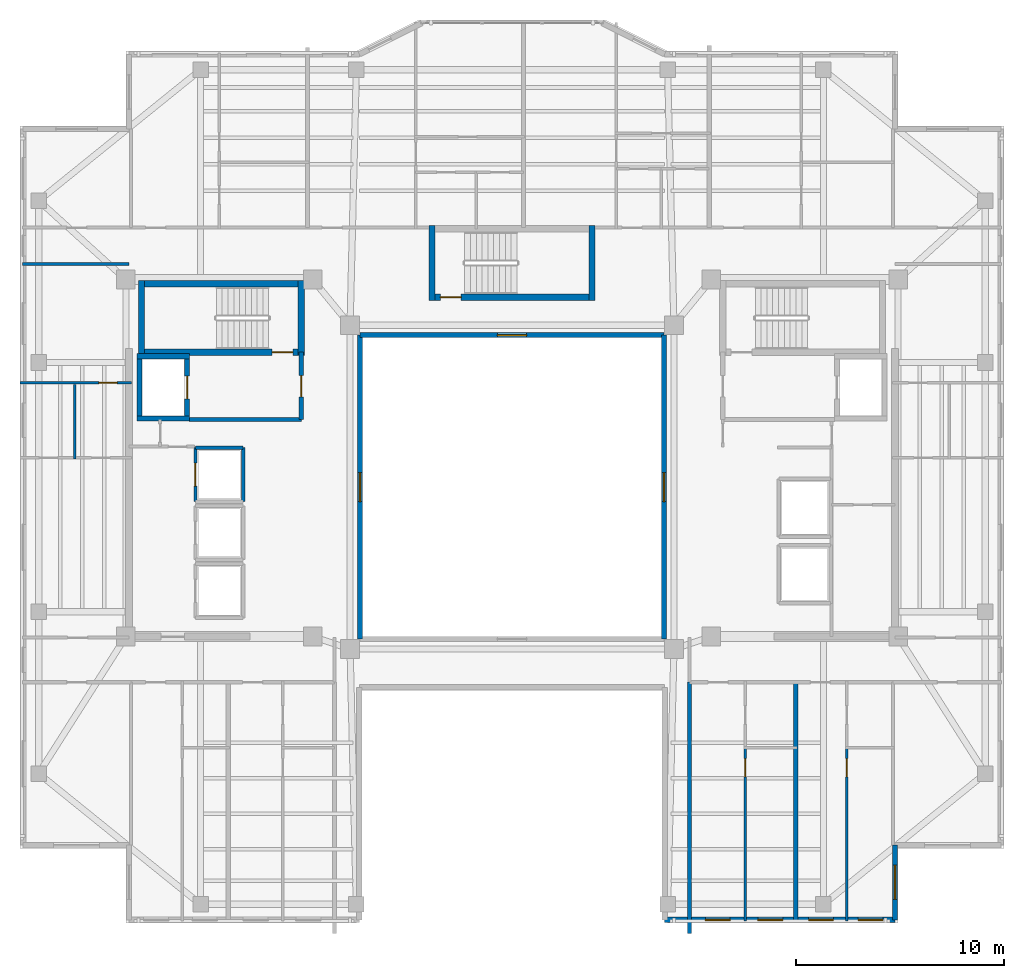
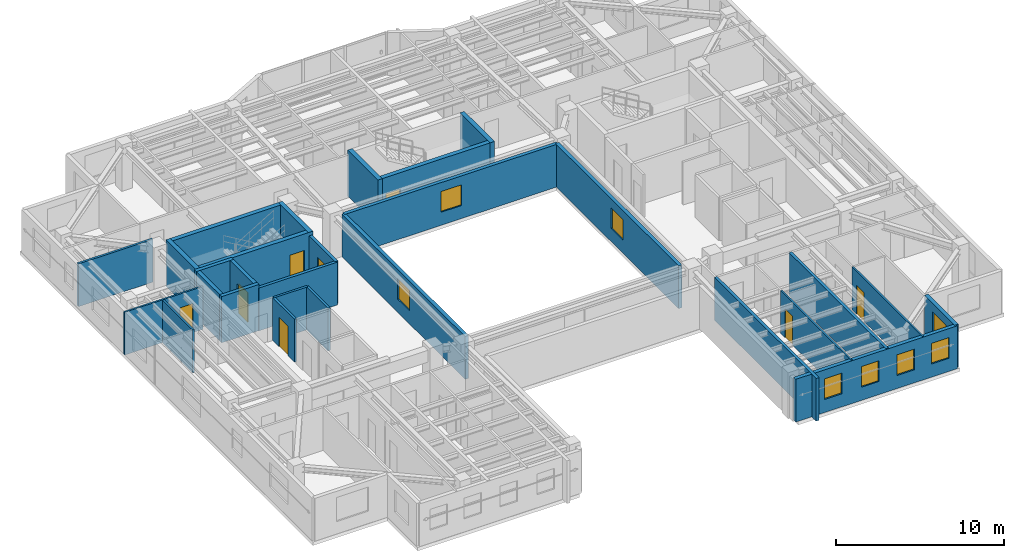
# One storey, part 5 of 12: 28 walls, 8 doors, 8 windows, 16 openings.
"""IFC4 building model written with IfcOpenShell, lengths in metres."""

from ifc_helpers import new_model, si_unit, direction, frame, frame_2d, origin, place, context, subcontext, project, spatial, rectangle, extrude, material, layer, layer_set, type_object, element, fill, save


model = new_model("IFC4")

# Units and contexts
model_context = context("Model", 3, precision=1e-05, world=origin(), true_north=direction((0.0, 1.0)))
body_context = subcontext(model_context, "Body", "Model", "MODEL_VIEW")
ifc_project = project(units=[si_unit("LENGTHUNIT", "METRE"), si_unit("AREAUNIT", "SQUARE_METRE"), si_unit("VOLUMEUNIT", "CUBIC_METRE"), si_unit("PLANEANGLEUNIT", "RADIAN"), si_unit("MASSUNIT", "GRAM", prefix="KILO")], contexts=[model_context])

# Site, building, storey
site_placement = place(None, origin())
site = spatial("IfcSite", under=ifc_project, at=site_placement, CompositionType="ELEMENT")
building_placement = place(site_placement, origin())
building = spatial("IfcBuilding", under=site, at=building_placement, Name="Tarnavaz Court Tower", CompositionType="ELEMENT")
storey_placement = place(building_placement, frame((0.0, 0.0, 207.0)))
storey = spatial("IfcBuildingStorey", under=building, at=storey_placement, Name="L56", CompositionType="ELEMENT", Elevation=207.0)

# Wall
ifc_material_1 = material(Name="Concrete C50/60", Category="concrete")
ifc_layer_1 = layer(ifc_material_1, 0.25)
ifc_layer_set_1 = layer_set([ifc_layer_1], Name="Concrete C50/60")
wall_type_1 = type_object("IfcWallType", Name="WL-CORE-250-C50", PredefinedType="SHEAR", material=ifc_layer_set_1)
wall_1_placement = place(storey_placement, frame((-17.949951171875, 3.175048828125, 0.0), z_axis=(0.0, 0.0, 1.0), x_axis=(0.0, 1.0, 0.0)))
element("IfcWall", 1, at=wall_1_placement, inside=storey, type_object=wall_type_1, Name="L56 Lift FL-W1 Shaft Wall 017", PredefinedType="SHEAR", context=body_context, shape_type="SweptSolid", body=[
    extrude(rectangle(XDim=3.25, YDim=0.25, at=frame_2d((1.625, 0.0))), origin(), (0.0, 0.0, 1.0), 3.35009765625),
])

# Wall, opening, door
wall_2_placement = place(storey_placement, frame((-15.64990234375, 3.175048828125, 0.0), z_axis=(0.0, 0.0, 1.0), x_axis=(0.0, 1.0, 0.0)))
wall_2 = element("IfcWall", 2, at=wall_2_placement, inside=storey, type_object=wall_type_1, Name="L56 Lift FL-W1 Shaft Wall 018", PredefinedType="SHEAR", context=body_context, shape_type="SweptSolid", body=[
    extrude(rectangle(XDim=3.25, YDim=0.25, at=frame_2d((1.625, 0.0))), origin(), (0.0, 0.0, 1.0), 3.35009765625),
])
opening_1_placement = place(wall_2_placement, frame((1.074951171875, 0.0, 0.0)))
opening_1 = element("IfcOpeningElement", 3, at=opening_1_placement, cuts=wall_2, Name="Opening LD1", PredefinedType="OPENING", context=body_context, shape_type="SweptSolid", body=[
    extrude(rectangle(XDim=1.10009765625, YDim=2.14990234375, at=frame_2d((0.550048828125, 1.074951171875))), frame((0.0, 0.135009765625, 0.0), z_axis=(0.0, -1.0, 0.0), x_axis=(1.0, 0.0, 0.0)), (0.0, 0.0, 1.0), 0.27001953125),
])
ifc_material_2 = material(Name="Stainless Steel", Category="steel")
door_type_1 = type_object("IfcDoorType", Name="DR-LD-1100", OperationType="NOTDEFINED", PredefinedType="DOOR", material=ifc_material_2)
door_1_placement = place(opening_1_placement, origin())
door_1 = element("IfcDoor", 4, at=door_1_placement, inside=storey, type_object=door_type_1, Name="L56 Lift Landing Door LD-FL-W1", OperationType="SLIDING_TO_LEFT", OverallHeight=2.14990234375, OverallWidth=1.10009765625, PredefinedType="DOOR", context=body_context, shape_type="SweptSolid", body=[
    extrude(rectangle(XDim=1.10009765625, YDim=2.14990234375, at=frame_2d((0.550048828125, 1.074951171875))), frame((0.0, 0.02490234375, 0.0), z_axis=(0.0, -1.0, 0.0), x_axis=(1.0, 0.0, 0.0)), (0.0, 0.0, 1.0), 0.050048828125),
])
fill(opening_1, door_1)

# Walls
for number, where, z_axis, x_axis, name in (
    (5, (-18.074951171875, 3.300048828125, 0.0), (0.0, 0.0, 1.0), (1.0, 0.0, 0.0), "L56 Lift FL-W1 Shaft Wall 019"),
    (6, (-18.074951171875, 6.300048828125, 0.0), (0.0, 0.0, 1.0), (1.0, 0.0, 0.0), "L56 Lift FL-W1 Shaft Wall 020"),
):
    element("IfcWall", number, at=place(storey_placement, frame(where, z_axis=z_axis, x_axis=x_axis)), inside=storey, type_object=wall_type_1, Name=name, PredefinedType="SHEAR", context=body_context, shape_type="SweptSolid", body=[
        extrude(rectangle(XDim=2.550048828125, YDim=0.25, at=frame_2d((1.27490234375, 0.0))), origin(), (0.0, 0.0, 1.0), 3.35009765625),
    ])
ifc_layer_2 = layer(ifc_material_1, 0.300048828125)
ifc_layer_set_2 = layer_set([ifc_layer_2], Name="Concrete C50/60")
wall_type_2 = type_object("IfcWallType", Name="WL-CORE-300-C50", PredefinedType="SHEAR", material=ifc_layer_set_2)
wall_3_placement = place(storey_placement, frame((-18.0, 9.7900390625, 0.0), z_axis=(0.0, 0.0, 1.0), x_axis=(1.0, 0.0, 0.0)))
element("IfcWall", 7, at=wall_3_placement, inside=storey, type_object=wall_type_2, Name="L56 West Stair Core Wall 001", PredefinedType="SHEAR", context=body_context, shape_type="SweptSolid", body=[
    extrude(rectangle(XDim=8.0, YDim=0.300048828125, at=frame_2d((4.0, 0.0))), origin(), (0.0, 0.0, 1.0), 3.35009765625),
])

# Wall, opening, door
wall_4_placement = place(storey_placement, frame((-18.0, 6.5, 0.0), z_axis=(0.0, 0.0, 1.0), x_axis=(1.0, 0.0, 0.0)))
wall_4 = element("IfcWall", 8, at=wall_4_placement, inside=storey, type_object=wall_type_2, Name="L56 West Stair Core Wall 002", PredefinedType="SHEAR", context=body_context, shape_type="SweptSolid", body=[
    extrude(rectangle(XDim=8.0, YDim=0.300048828125, at=frame_2d((4.0, 0.0))), origin(), (0.0, 0.0, 1.0), 3.35009765625),
])
opening_2_placement = place(wall_4_placement, frame((6.449951171875, 0.0, 0.0)))
opening_2 = element("IfcOpeningElement", 9, at=opening_2_placement, cuts=wall_4, Name="Opening D01", PredefinedType="OPENING", context=body_context, shape_type="SweptSolid", body=[
    extrude(rectangle(XDim=1.0, YDim=2.14990234375, at=frame_2d((0.5, 1.074951171875))), frame((0.0, 0.159912109375, 0.0), z_axis=(0.0, -1.0, 0.0), x_axis=(1.0, 0.0, 0.0)), (0.0, 0.0, 1.0), 0.320068359375),
])
ifc_material_3 = material(Name="Fire-Rated Hardwood Timber Core", Category="wood")
door_type_2 = type_object("IfcDoorType", Name="DR-FD90-1000", OperationType="NOTDEFINED", PredefinedType="DOOR", material=ifc_material_3)
door_2_placement = place(opening_2_placement, origin())
door_2 = element("IfcDoor", 10, at=door_2_placement, inside=storey, type_object=door_type_2, Name="L56 Stair ST-W1 Exit Door", OperationType="SINGLE_SWING_LEFT", OverallHeight=2.14990234375, OverallWidth=1.0, PredefinedType="DOOR", context=body_context, shape_type="SweptSolid", body=[
    extrude(rectangle(XDim=1.0, YDim=2.14990234375, at=frame_2d((0.5, 1.074951171875))), frame((0.0, 0.02490234375, 0.0), z_axis=(0.0, -1.0, 0.0), x_axis=(1.0, 0.0, 0.0)), (0.0, 0.0, 1.0), 0.050048828125),
])
fill(opening_2, door_2)

# Walls
for number, where, z_axis, x_axis, name in (
    (11, (-17.85009765625, 6.35009765625, 0.0), (0.0, 0.0, 1.0), (0.0, 1.0, 0.0), "L56 West Stair Core Wall 003"),
    (12, (-10.14990234375, 6.35009765625, 0.0), (0.0, 0.0, 1.0), (0.0, 1.0, 0.0), "L56 West Stair Core Wall 004"),
):
    element("IfcWall", number, at=place(storey_placement, frame(where, z_axis=z_axis, x_axis=x_axis)), inside=storey, type_object=wall_type_2, Name=name, PredefinedType="SHEAR", context=body_context, shape_type="SweptSolid", body=[
        extrude(rectangle(XDim=3.58984375, YDim=0.300048828125, at=frame_2d((1.794921875, 0.0))), origin(), (0.0, 0.0, 1.0), 3.35009765625),
    ])

# Wall, opening, door
wall_5_placement = place(storey_placement, frame((-4.0, 9.14990234375, 0.0), z_axis=(0.0, 0.0, 1.0), x_axis=(1.0, 0.0, 0.0)))
wall_5 = element("IfcWall", 13, at=wall_5_placement, inside=storey, type_object=wall_type_2, Name="L56 North Stair Core Wall 010", PredefinedType="SHEAR", context=body_context, shape_type="SweptSolid", body=[
    extrude(rectangle(XDim=8.0, YDim=0.300048828125, at=frame_2d((4.0, 0.0))), origin(), (0.0, 0.0, 1.0), 3.35009765625),
])
opening_3_placement = place(wall_5_placement, frame((0.550048828125, 0.0, 0.0)))
opening_3 = element("IfcOpeningElement", 14, at=opening_3_placement, cuts=wall_5, Name="Opening D01", PredefinedType="OPENING", context=body_context, shape_type="SweptSolid", body=[
    extrude(rectangle(XDim=1.0, YDim=2.14990234375, at=frame_2d((0.5, 1.074951171875))), frame((0.0, 0.159912109375, 0.0), z_axis=(0.0, -1.0, 0.0), x_axis=(1.0, 0.0, 0.0)), (0.0, 0.0, 1.0), 0.320068359375),
])
door_3_placement = place(opening_3_placement, origin())
door_3 = element("IfcDoor", 15, at=door_3_placement, inside=storey, type_object=door_type_2, Name="L56 Stair ST-N1 Exit Door", OperationType="SINGLE_SWING_LEFT", OverallHeight=2.14990234375, OverallWidth=1.0, PredefinedType="DOOR", context=body_context, shape_type="SweptSolid", body=[
    extrude(rectangle(XDim=1.0, YDim=2.14990234375, at=frame_2d((0.5, 1.074951171875))), frame((0.0, 0.02490234375, 0.0), z_axis=(0.0, -1.0, 0.0), x_axis=(1.0, 0.0, 0.0)), (0.0, 0.0, 1.0), 0.050048828125),
])
fill(opening_3, door_3)

# Walls
for number, where, z_axis, x_axis, name in (
    (16, (-3.85009765625, 9.0, 0.0), (0.0, 0.0, 1.0), (0.0, 1.0, 0.0), "L56 North Stair Core Wall 011"),
    (17, (3.85009765625, 9.0, 0.0), (0.0, 0.0, 1.0), (0.0, 1.0, 0.0), "L56 North Stair Core Wall 012"),
):
    element("IfcWall", number, at=place(storey_placement, frame(where, z_axis=z_axis, x_axis=x_axis)), inside=storey, type_object=wall_type_2, Name=name, PredefinedType="SHEAR", context=body_context, shape_type="SweptSolid", body=[
        extrude(rectangle(XDim=3.590087890625, YDim=0.300048828125, at=frame_2d((1.794921875, 0.0))), origin(), (0.0, 0.0, 1.0), 3.35009765625),
    ])

# Wall, opening, window
ifc_material_4 = material(Name="Precast Concrete C40/50", Category="concrete")
ifc_layer_3 = layer(ifc_material_4, 0.260009765625)
ifc_layer_set_3 = layer_set([ifc_layer_3], Name="Precast Concrete C40/50")
wall_type_3 = type_object("IfcWallType", Name="WL-EXT-260", PredefinedType="SOLIDWALL", material=ifc_layer_set_3)
wall_6_placement = place(storey_placement, frame((18.449951171875, -17.25, 0.0), z_axis=(0.0, 0.0, 1.0), x_axis=(0.0, -1.0, 0.0)))
wall_6 = element("IfcWall", 18, at=wall_6_placement, inside=storey, type_object=wall_type_3, Name="L56 Exterior Terracotta Facade Wall 14", PredefinedType="SOLIDWALL", context=body_context, shape_type="SweptSolid", body=[
    extrude(rectangle(XDim=3.60009765625, YDim=0.260009765625, at=frame_2d((1.800048828125, 0.0))), origin(), (0.0, 0.0, 1.0), 3.10009765625),
])
opening_4_placement = place(wall_6_placement, frame((0.95751953125, 0.0, 0.89990234375)))
opening_4 = element("IfcOpeningElement", 19, at=opening_4_placement, cuts=wall_6, Name="Opening W02", PredefinedType="OPENING", context=body_context, shape_type="SweptSolid", body=[
    extrude(rectangle(XDim=1.64990234375, YDim=1.60009765625, at=frame_2d((0.824951171875, 0.800048828125))), frame((0.0, 0.139892578125, 0.0), z_axis=(0.0, -1.0, 0.0), x_axis=(1.0, 0.0, 0.0)), (0.0, 0.0, 1.0), 0.280029296875),
])
ifc_material_5 = material(Name="Double-Glazed Solar Low-E Glass", Category="glass")
window_type_1 = type_object("IfcWindowType", Name="WN-APT-1650", PartitioningType="DOUBLE_PANEL_VERTICAL", PredefinedType="WINDOW", material=ifc_material_5)
window_1_placement = place(opening_4_placement, origin())
window_1 = element("IfcWindow", 20, at=window_1_placement, inside=storey, type_object=window_type_1, Name="L56 Flat 08 Kitchen Window", OverallHeight=1.60009765625, OverallWidth=1.64990234375, PartitioningType="SINGLE_PANEL", PredefinedType="WINDOW", context=body_context, shape_type="SweptSolid", body=[
    extrude(rectangle(XDim=1.64990234375, YDim=1.60009765625, at=frame_2d((0.824951171875, 0.800048828125))), frame((0.0, 0.030029296875, 0.0), z_axis=(0.0, -1.0, 0.0), x_axis=(1.0, 0.0, 0.0)), (0.0, 0.0, 1.0), 0.06005859375),
])
fill(opening_4, window_1)

# Wall, openings, windows
wall_7_placement = place(storey_placement, frame((18.449951171875, -20.85009765625, 0.0), z_axis=(0.0, 0.0, 1.0), x_axis=(-1.0, 0.0, 0.0)))
wall_7 = element("IfcWall", 21, at=wall_7_placement, inside=storey, type_object=wall_type_3, Name="L56 Exterior Terracotta Facade Wall 15", PredefinedType="SOLIDWALL", context=body_context, shape_type="SweptSolid", body=[
    extrude(rectangle(XDim=11.099853515625, YDim=0.260009765625, at=frame_2d((5.5498046875, 0.0))), origin(), (0.0, 0.0, 1.0), 3.10009765625),
])
opening_5_placement = place(wall_7_placement, frame((0.58056640625, 0.0, 0.949951171875)))
opening_5 = element("IfcOpeningElement", 22, at=opening_5_placement, cuts=wall_7, Name="Opening W05", PredefinedType="OPENING", context=body_context, shape_type="SweptSolid", body=[
    extrude(rectangle(XDim=1.199951171875, YDim=1.5, at=frame_2d((0.60009765625, 0.75))), frame((0.0, 0.139892578125, 0.0), z_axis=(0.0, -1.0, 0.0), x_axis=(1.0, 0.0, 0.0)), (0.0, 0.0, 1.0), 0.280029296875),
])
opening_6_placement = place(wall_7_placement, frame((2.966064453125, 0.0, 0.949951171875)))
opening_6 = element("IfcOpeningElement", 23, at=opening_6_placement, cuts=wall_7, Name="Opening W05", PredefinedType="OPENING", context=body_context, shape_type="SweptSolid", body=[
    extrude(rectangle(XDim=1.199951171875, YDim=1.5, at=frame_2d((0.60009765625, 0.75))), frame((0.0, 0.139892578125, 0.0), z_axis=(0.0, -1.0, 0.0), x_axis=(1.0, 0.0, 0.0)), (0.0, 0.0, 1.0), 0.280029296875),
])
opening_7_placement = place(wall_7_placement, frame((5.402099609375, 0.0, 0.949951171875)))
opening_7 = element("IfcOpeningElement", 24, at=opening_7_placement, cuts=wall_7, Name="Opening W05", PredefinedType="OPENING", context=body_context, shape_type="SweptSolid", body=[
    extrude(rectangle(XDim=1.199951171875, YDim=1.5, at=frame_2d((0.60009765625, 0.75))), frame((0.0, 0.139892578125, 0.0), z_axis=(0.0, -1.0, 0.0), x_axis=(1.0, 0.0, 0.0)), (0.0, 0.0, 1.0), 0.280029296875),
])
opening_8_placement = place(wall_7_placement, frame((7.9384765625, 0.0, 0.949951171875)))
opening_8 = element("IfcOpeningElement", 25, at=opening_8_placement, cuts=wall_7, Name="Opening W05", PredefinedType="OPENING", context=body_context, shape_type="SweptSolid", body=[
    extrude(rectangle(XDim=1.199951171875, YDim=1.5, at=frame_2d((0.60009765625, 0.75))), frame((0.0, 0.139892578125, 0.0), z_axis=(0.0, -1.0, 0.0), x_axis=(1.0, 0.0, 0.0)), (0.0, 0.0, 1.0), 0.280029296875),
])
window_type_2 = type_object("IfcWindowType", Name="WN-APT-1200", PartitioningType="SINGLE_PANEL", PredefinedType="WINDOW", material=ifc_material_5)
window_2_placement = place(opening_5_placement, origin())
window_2 = element("IfcWindow", 26, at=window_2_placement, inside=storey, type_object=window_type_2, Name="L56 Flat 08 Kitchen Window", OverallHeight=1.5, OverallWidth=1.199951171875, PartitioningType="SINGLE_PANEL", PredefinedType="WINDOW", context=body_context, shape_type="SweptSolid", body=[
    extrude(rectangle(XDim=1.199951171875, YDim=1.5, at=frame_2d((0.60009765625, 0.75))), frame((0.0, 0.030029296875, 0.0), z_axis=(0.0, -1.0, 0.0), x_axis=(1.0, 0.0, 0.0)), (0.0, 0.0, 1.0), 0.06005859375),
])
fill(opening_5, window_2)
window_3_placement = place(opening_6_placement, origin())
window_3 = element("IfcWindow", 27, at=window_3_placement, inside=storey, type_object=window_type_2, Name="L56 Flat 08 Studio Living and Sleeping Room Window", OverallHeight=1.5, OverallWidth=1.199951171875, PartitioningType="SINGLE_PANEL", PredefinedType="WINDOW", context=body_context, shape_type="SweptSolid", body=[
    extrude(rectangle(XDim=1.199951171875, YDim=1.5, at=frame_2d((0.60009765625, 0.75))), frame((0.0, 0.030029296875, 0.0), z_axis=(0.0, -1.0, 0.0), x_axis=(1.0, 0.0, 0.0)), (0.0, 0.0, 1.0), 0.06005859375),
])
fill(opening_6, window_3)
window_4_placement = place(opening_7_placement, origin())
window_4 = element("IfcWindow", 28, at=window_4_placement, inside=storey, type_object=window_type_2, Name="L56 Flat 07 Kitchen Window", OverallHeight=1.5, OverallWidth=1.199951171875, PartitioningType="SINGLE_PANEL", PredefinedType="WINDOW", context=body_context, shape_type="SweptSolid", body=[
    extrude(rectangle(XDim=1.199951171875, YDim=1.5, at=frame_2d((0.60009765625, 0.75))), frame((0.0, 0.030029296875, 0.0), z_axis=(0.0, -1.0, 0.0), x_axis=(1.0, 0.0, 0.0)), (0.0, 0.0, 1.0), 0.06005859375),
])
fill(opening_7, window_4)
window_5_placement = place(opening_8_placement, origin())
window_5 = element("IfcWindow", 29, at=window_5_placement, inside=storey, type_object=window_type_2, Name="L56 Flat 07 Studio Living and Sleeping Room Window", OverallHeight=1.5, OverallWidth=1.199951171875, PartitioningType="SINGLE_PANEL", PredefinedType="WINDOW", context=body_context, shape_type="SweptSolid", body=[
    extrude(rectangle(XDim=1.199951171875, YDim=1.5, at=frame_2d((0.60009765625, 0.75))), frame((0.0, 0.030029296875, 0.0), z_axis=(0.0, -1.0, 0.0), x_axis=(1.0, 0.0, 0.0)), (0.0, 0.0, 1.0), 0.06005859375),
])
fill(opening_8, window_5)

# Walls
ifc_material_6 = material(Name="Gypsum Fire-Board on Acoustic Metal Stud", Category="masonry")
ifc_layer_4 = layer(ifc_material_6, 0.14990234375)
ifc_layer_set_4 = layer_set([ifc_layer_4], Name="Gypsum Fire-Board on Acoustic Metal Stud")
wall_type_4 = type_object("IfcWallType", Name="WL-FIRE-150", PredefinedType="PARTITIONING", material=ifc_layer_set_4)
wall_8_placement = place(storey_placement, frame((-23.580078125, 10.75, 0.0), z_axis=(0.0, 0.0, 1.0), x_axis=(1.0, 0.0, 0.0)))
element("IfcWall", 30, at=wall_8_placement, inside=storey, type_object=wall_type_4, Name="L56 Interior Partition 097", PredefinedType="PARTITIONING", context=body_context, shape_type="SweptSolid", body=[
    extrude(rectangle(XDim=5.130126953125, YDim=0.14990234375, at=frame_2d((2.56494140625, 0.0))), origin(), (0.0, 0.0, 1.0), 3.10009765625),
])
ifc_material_7 = material(Name="Autoclaved Aerated Concrete Blockwork", Category="masonry")
ifc_layer_5 = layer(ifc_material_7, 0.199951171875)
ifc_layer_set_5 = layer_set([ifc_layer_5], Name="Autoclaved Aerated Concrete Blockwork")
wall_type_5 = type_object("IfcWallType", Name="WL-FIRE-200", PredefinedType="SOLIDWALL", material=ifc_layer_set_5)
wall_9_placement = place(storey_placement, frame((-15.550048828125, 3.25, 0.0), z_axis=(0.0, 0.0, 1.0), x_axis=(1.0, 0.0, 0.0)))
element("IfcWall", 31, at=wall_9_placement, inside=storey, type_object=wall_type_5, Name="L56 West Firefighting Lobby Wall 013", PredefinedType="SOLIDWALL", context=body_context, shape_type="SweptSolid", body=[
    extrude(rectangle(XDim=5.400146484375, YDim=0.199951171875, at=frame_2d((2.7001953125, 0.0))), origin(), (0.0, 0.0, 1.0), 3.10009765625),
])

# Wall, opening, door
wall_10_placement = place(storey_placement, frame((-10.14990234375, 3.25, 0.0), z_axis=(0.0, 0.0, 1.0), x_axis=(0.0, 1.0, 0.0)))
wall_10 = element("IfcWall", 32, at=wall_10_placement, inside=storey, type_object=wall_type_5, Name="L56 West Firefighting Lobby Wall 014", PredefinedType="SOLIDWALL", context=body_context, shape_type="SweptSolid", body=[
    extrude(rectangle(XDim=3.25, YDim=0.199951171875, at=frame_2d((1.625, 0.0))), origin(), (0.0, 0.0, 1.0), 3.10009765625),
])
opening_9_placement = place(wall_10_placement, frame((1.10009765625, 0.0, 0.0)))
opening_9 = element("IfcOpeningElement", 33, at=opening_9_placement, cuts=wall_10, Name="Opening D05", PredefinedType="OPENING", context=body_context, shape_type="SweptSolid", body=[
    extrude(rectangle(XDim=1.02001953125, YDim=2.14990234375, at=frame_2d((0.510009765625, 1.074951171875))), frame((0.0, 0.10986328125, 0.0), z_axis=(0.0, -1.0, 0.0), x_axis=(1.0, 0.0, 0.0)), (0.0, 0.0, 1.0), 0.219970703125),
])
door_type_3 = type_object("IfcDoorType", Name="DR-FD60-1000", OperationType="NOTDEFINED", PredefinedType="DOOR", material=ifc_material_3)
door_4_placement = place(opening_9_placement, origin())
door_4 = element("IfcDoor", 34, at=door_4_placement, inside=storey, type_object=door_type_3, Name="L56 West Firefighting Lobby Door", OperationType="SINGLE_SWING_RIGHT", OverallHeight=2.14990234375, OverallWidth=1.02001953125, PredefinedType="DOOR", context=body_context, shape_type="SweptSolid", body=[
    extrude(rectangle(XDim=1.02001953125, YDim=2.14990234375, at=frame_2d((0.510009765625, 1.074951171875))), frame((0.0, 0.02490234375, 0.0), z_axis=(0.0, -1.0, 0.0), x_axis=(1.0, 0.0, 0.0)), (0.0, 0.0, 1.0), 0.050048828125),
])
fill(opening_9, door_4)

# Walls
wall_11_placement = place(storey_placement, frame((13.669921875, -20.89990234375, 0.0), z_axis=(0.0, 0.0, 1.0), x_axis=(0.0, 1.0, 0.0)))
element("IfcWall", 35, at=wall_11_placement, inside=storey, type_object=wall_type_5, Name="L56 Party Wall 087", PredefinedType="SOLIDWALL", context=body_context, shape_type="SweptSolid", body=[
    extrude(rectangle(XDim=11.5, YDim=0.199951171875, at=frame_2d((5.75, 0.0))), origin(), (0.0, 0.0, 1.0), 3.10009765625),
])
wall_12_placement = place(storey_placement, frame((8.550048828125, -21.50390625, 0.0), z_axis=(0.0, 0.0, 1.0), x_axis=(0.0, 1.0, 0.0)))
element("IfcWall", 36, at=wall_12_placement, inside=storey, type_object=wall_type_5, Name="L56 Party Wall 095", PredefinedType="SOLIDWALL", context=body_context, shape_type="SweptSolid", body=[
    extrude(rectangle(XDim=12.10400390625, YDim=0.199951171875, at=frame_2d((6.052001953125, 0.0))), origin(), (0.0, 0.0, 1.0), 3.10009765625),
])

# Wall, opening, door
ifc_material_8 = material(Name="Moisture-Resistant Gypsum Board Partition", Category="masonry")
ifc_layer_6 = layer(ifc_material_8, 0.1201171875)
ifc_layer_set_6 = layer_set([ifc_layer_6], Name="Moisture-Resistant Gypsum Board Partition")
wall_type_6 = type_object("IfcWallType", Name="WL-PART-120", PredefinedType="PARTITIONING", material=ifc_layer_set_6)
wall_13_placement = place(storey_placement, frame((11.23388671875, -20.89990234375, 0.0), z_axis=(0.0, 0.0, 1.0), x_axis=(0.0, 1.0, 0.0)))
wall_13 = element("IfcWall", 37, at=wall_13_placement, inside=storey, type_object=wall_type_6, Name="L56 Interior Partition 088", PredefinedType="PARTITIONING", context=body_context, shape_type="SweptSolid", body=[
    extrude(rectangle(XDim=8.33984375, YDim=0.1201171875, at=frame_2d((4.169921875, 0.0))), origin(), (0.0, 0.0, 1.0), 3.10009765625),
])
opening_10_placement = place(wall_13_placement, frame((6.93994140625, 0.0, 0.0)))
opening_10 = element("IfcOpeningElement", 38, at=opening_10_placement, cuts=wall_13, Name="Opening D14", PredefinedType="OPENING", context=body_context, shape_type="SweptSolid", body=[
    extrude(rectangle(XDim=0.8798828125, YDim=2.10009765625, at=frame_2d((0.43994140625, 1.050048828125))), frame((0.0, 0.070068359375, 0.0), z_axis=(0.0, -1.0, 0.0), x_axis=(1.0, 0.0, 0.0)), (0.0, 0.0, 1.0), 0.14013671875),
])
ifc_material_9 = material(Name="Engineered Oak Timber", Category="wood")
door_type_4 = type_object("IfcDoorType", Name="DR-INT-900", OperationType="NOTDEFINED", PredefinedType="DOOR", material=ifc_material_9)
door_5_placement = place(opening_10_placement, origin())
door_5 = element("IfcDoor", 39, at=door_5_placement, inside=storey, type_object=door_type_4, Name="L56 Flat 07 Kitchen Door", OperationType="SINGLE_SWING_RIGHT", OverallHeight=2.10009765625, OverallWidth=0.8798828125, PredefinedType="DOOR", context=body_context, shape_type="SweptSolid", body=[
    extrude(rectangle(XDim=0.8798828125, YDim=2.10009765625, at=frame_2d((0.43994140625, 1.050048828125))), frame((0.0, 0.02490234375, 0.0), z_axis=(0.0, -1.0, 0.0), x_axis=(1.0, 0.0, 0.0)), (0.0, 0.0, 1.0), 0.050048828125),
])
fill(opening_10, door_5)

wall_14_placement = place(storey_placement, frame((16.1298828125, -20.89990234375, 0.0), z_axis=(0.0, 0.0, 1.0), x_axis=(0.0, 1.0, 0.0)))
wall_14 = element("IfcWall", 40, at=wall_14_placement, inside=storey, type_object=wall_type_6, Name="L56 Interior Partition 091", PredefinedType="PARTITIONING", context=body_context, shape_type="SweptSolid", body=[
    extrude(rectangle(XDim=8.33984375, YDim=0.1201171875, at=frame_2d((4.169921875, 0.0))), origin(), (0.0, 0.0, 1.0), 3.10009765625),
])
opening_11_placement = place(wall_14_placement, frame((6.93994140625, 0.0, 0.0)))
opening_11 = element("IfcOpeningElement", 41, at=opening_11_placement, cuts=wall_14, Name="Opening D14", PredefinedType="OPENING", context=body_context, shape_type="SweptSolid", body=[
    extrude(rectangle(XDim=0.8798828125, YDim=2.10009765625, at=frame_2d((0.43994140625, 1.050048828125))), frame((0.0, 0.070068359375, 0.0), z_axis=(0.0, -1.0, 0.0), x_axis=(1.0, 0.0, 0.0)), (0.0, 0.0, 1.0), 0.14013671875),
])
door_6_placement = place(opening_11_placement, origin())
door_6 = element("IfcDoor", 42, at=door_6_placement, inside=storey, type_object=door_type_4, Name="L56 Flat 08 Kitchen Door", OperationType="SINGLE_SWING_LEFT", OverallHeight=2.10009765625, OverallWidth=0.8798828125, PredefinedType="DOOR", context=body_context, shape_type="SweptSolid", body=[
    extrude(rectangle(XDim=0.8798828125, YDim=2.10009765625, at=frame_2d((0.43994140625, 1.050048828125))), frame((0.0, 0.02490234375, 0.0), z_axis=(0.0, -1.0, 0.0), x_axis=(1.0, 0.0, 0.0)), (0.0, 0.0, 1.0), 0.050048828125),
])
fill(opening_11, door_6)

wall_15_placement = place(storey_placement, frame((-23.699951171875, 5.02001953125, 0.0), z_axis=(0.0, 0.0, 1.0), x_axis=(1.0, 0.0, 0.0)))
wall_15 = element("IfcWall", 43, at=wall_15_placement, inside=storey, type_object=wall_type_6, Name="L56 Interior Partition 109", PredefinedType="PARTITIONING", context=body_context, shape_type="SweptSolid", body=[
    extrude(rectangle(XDim=5.369873046875, YDim=0.1201171875, at=frame_2d((2.68505859375, 0.0))), origin(), (0.0, 0.0, 1.0), 3.10009765625),
])
opening_12_placement = place(wall_15_placement, frame((3.800048828125, 0.0, 0.0)))
opening_12 = element("IfcOpeningElement", 44, at=opening_12_placement, cuts=wall_15, Name="Opening D14", PredefinedType="OPENING", context=body_context, shape_type="SweptSolid", body=[
    extrude(rectangle(XDim=0.8798828125, YDim=2.10009765625, at=frame_2d((0.43994140625, 1.050048828125))), frame((0.0, 0.070068359375, 0.0), z_axis=(0.0, -1.0, 0.0), x_axis=(1.0, 0.0, 0.0)), (0.0, 0.0, 1.0), 0.14013671875),
])
door_7_placement = place(opening_12_placement, origin())
door_7 = element("IfcDoor", 45, at=door_7_placement, inside=storey, type_object=door_type_4, Name="L56 Flat 09 Study Door", OperationType="SINGLE_SWING_RIGHT", OverallHeight=2.10009765625, OverallWidth=0.8798828125, PredefinedType="DOOR", context=body_context, shape_type="SweptSolid", body=[
    extrude(rectangle(XDim=0.8798828125, YDim=2.10009765625, at=frame_2d((0.43994140625, 1.050048828125))), frame((0.0, 0.02490234375, 0.0), z_axis=(0.0, -1.0, 0.0), x_axis=(1.0, 0.0, 0.0)), (0.0, 0.0, 1.0), 0.050048828125),
])
fill(opening_12, door_7)

# Wall
wall_16_placement = place(storey_placement, frame((-21.06494140625, 1.360107421875, 0.0), z_axis=(0.0, 0.0, 1.0), x_axis=(0.0, 1.0, 0.0)))
element("IfcWall", 46, at=wall_16_placement, inside=storey, type_object=wall_type_6, Name="L56 Interior Partition 110", PredefinedType="PARTITIONING", context=body_context, shape_type="SweptSolid", body=[
    extrude(rectangle(XDim=3.579833984375, YDim=0.1201171875, at=frame_2d((1.7900390625, 0.0))), origin(), (0.0, 0.0, 1.0), 3.10009765625),
])

# Wall, opening, door
ifc_layer_7 = layer(ifc_material_7, 0.159912109375)
ifc_layer_set_7 = layer_set([ifc_layer_7], Name="Autoclaved Aerated Concrete Blockwork")
wall_type_7 = type_object("IfcWallType", Name="WL-SHAFT-150", PredefinedType="SOLIDWALL", material=ifc_layer_set_7)
wall_17_placement = place(storey_placement, frame((-15.25, -0.699951171875, 0.0), z_axis=(0.0, 0.0, 1.0), x_axis=(0.0, 1.0, 0.0)))
wall_17 = element("IfcWall", 47, at=wall_17_placement, inside=storey, type_object=wall_type_7, Name="L56 Lift PL-H3 Shaft Wall 029", PredefinedType="SOLIDWALL", context=body_context, shape_type="SweptSolid", body=[
    extrude(rectangle(XDim=2.599853515625, YDim=0.159912109375, at=frame_2d((1.2998046875, 0.0))), origin(), (0.0, 0.0, 1.0), 3.10009765625),
])
opening_13_placement = place(wall_17_placement, frame((0.75, 0.0, 0.0)))
opening_13 = element("IfcOpeningElement", 48, at=opening_13_placement, cuts=wall_17, Name="Opening LD1", PredefinedType="OPENING", context=body_context, shape_type="SweptSolid", body=[
    extrude(rectangle(XDim=1.10009765625, YDim=2.14990234375, at=frame_2d((0.550048828125, 1.074951171875))), frame((0.0, 0.08984375, 0.0), z_axis=(0.0, -1.0, 0.0), x_axis=(1.0, 0.0, 0.0)), (0.0, 0.0, 1.0), 0.179931640625),
])
door_8_placement = place(opening_13_placement, origin())
door_8 = element("IfcDoor", 49, at=door_8_placement, inside=storey, type_object=door_type_1, Name="L56 Lift Landing Door LD-PL-H3", OperationType="SLIDING_TO_LEFT", OverallHeight=2.14990234375, OverallWidth=1.10009765625, PredefinedType="DOOR", context=body_context, shape_type="SweptSolid", body=[
    extrude(rectangle(XDim=1.10009765625, YDim=2.14990234375, at=frame_2d((0.550048828125, 1.074951171875))), frame((0.0, 0.02490234375, 0.0), z_axis=(0.0, -1.0, 0.0), x_axis=(1.0, 0.0, 0.0)), (0.0, 0.0, 1.0), 0.050048828125),
])
fill(opening_13, door_8)

# Walls
wall_18_placement = place(storey_placement, frame((-12.949951171875, -0.699951171875, 0.0), z_axis=(0.0, 0.0, 1.0), x_axis=(0.0, 1.0, 0.0)))
element("IfcWall", 50, at=wall_18_placement, inside=storey, type_object=wall_type_7, Name="L56 Lift PL-H3 Shaft Wall 030", PredefinedType="SOLIDWALL", context=body_context, shape_type="SweptSolid", body=[
    extrude(rectangle(XDim=2.599853515625, YDim=0.159912109375, at=frame_2d((1.2998046875, 0.0))), origin(), (0.0, 0.0, 1.0), 3.10009765625),
])
wall_19_placement = place(storey_placement, frame((-15.25, 1.89990234375, 0.0), z_axis=(0.0, 0.0, 1.0), x_axis=(1.0, 0.0, 0.0)))
element("IfcWall", 51, at=wall_19_placement, inside=storey, type_object=wall_type_7, Name="L56 Lift PL-H3 Shaft Wall 032", PredefinedType="SOLIDWALL", context=body_context, shape_type="SweptSolid", body=[
    extrude(rectangle(XDim=2.300048828125, YDim=0.159912109375, at=frame_2d((1.14990234375, 0.0))), origin(), (0.0, 0.0, 1.0), 3.10009765625),
])

# Wall, opening, window
ifc_layer_8 = layer(ifc_material_4, 0.239990234375)
ifc_layer_set_8 = layer_set([ifc_layer_8], Name="Precast Concrete C40/50")
wall_type_8 = type_object("IfcWallType", Name="WL-WELL-240", PredefinedType="SOLIDWALL", material=ifc_layer_set_8)
wall_20_placement = place(storey_placement, frame((7.320068359375, -7.320068359375, 0.0), z_axis=(0.0, 0.0, 1.0), x_axis=(0.0, 1.0, 0.0)))
wall_20 = element("IfcWall", 52, at=wall_20_placement, inside=storey, type_object=wall_type_8, Name="L56 Badgir Light-Well Exterior Wall E", PredefinedType="SOLIDWALL", context=body_context, shape_type="SweptSolid", body=[
    extrude(rectangle(XDim=14.64013671875, YDim=0.239990234375, at=frame_2d((7.320068359375, 0.0))), origin(), (0.0, 0.0, 1.0), 3.10009765625),
])
opening_14_placement = place(wall_20_placement, frame((6.6201171875, 0.0, 0.949951171875)))
opening_14 = element("IfcOpeningElement", 53, at=opening_14_placement, cuts=wall_20, Name="Opening W13", PredefinedType="OPENING", context=body_context, shape_type="SweptSolid", body=[
    extrude(rectangle(XDim=1.39990234375, YDim=1.5, at=frame_2d((0.699951171875, 0.75))), frame((0.0, 0.1298828125, 0.0), z_axis=(0.0, -1.0, 0.0), x_axis=(1.0, 0.0, 0.0)), (0.0, 0.0, 1.0), 0.260009765625),
])
window_type_3 = type_object("IfcWindowType", Name="WN-WEL-1400", PartitioningType="SINGLE_PANEL", PredefinedType="WINDOW", material=ifc_material_5)
window_6_placement = place(opening_14_placement, origin())
window_6 = element("IfcWindow", 54, at=window_6_placement, inside=storey, type_object=window_type_3, Name="L56 Courtyard Gallery Window E", OverallHeight=1.5, OverallWidth=1.39990234375, PartitioningType="SINGLE_PANEL", PredefinedType="WINDOW", context=body_context, shape_type="SweptSolid", body=[
    extrude(rectangle(XDim=1.39990234375, YDim=1.5, at=frame_2d((0.699951171875, 0.75))), frame((0.0, 0.030029296875, 0.0), z_axis=(0.0, -1.0, 0.0), x_axis=(1.0, 0.0, 0.0)), (0.0, 0.0, 1.0), 0.06005859375),
])
fill(opening_14, window_6)

wall_21_placement = place(storey_placement, frame((7.320068359375, 7.320068359375, 0.0), z_axis=(0.0, 0.0, 1.0), x_axis=(-1.0, 0.0, 0.0)))
wall_21 = element("IfcWall", 55, at=wall_21_placement, inside=storey, type_object=wall_type_8, Name="L56 Badgir Light-Well Exterior Wall N", PredefinedType="SOLIDWALL", context=body_context, shape_type="SweptSolid", body=[
    extrude(rectangle(XDim=14.64013671875, YDim=0.239990234375, at=frame_2d((7.320068359375, 0.0))), origin(), (0.0, 0.0, 1.0), 3.10009765625),
])
opening_15_placement = place(wall_21_placement, frame((6.6201171875, 0.0, 0.949951171875)))
opening_15 = element("IfcOpeningElement", 56, at=opening_15_placement, cuts=wall_21, Name="Opening W13", PredefinedType="OPENING", context=body_context, shape_type="SweptSolid", body=[
    extrude(rectangle(XDim=1.39990234375, YDim=1.5, at=frame_2d((0.699951171875, 0.75))), frame((0.0, 0.1298828125, 0.0), z_axis=(0.0, -1.0, 0.0), x_axis=(1.0, 0.0, 0.0)), (0.0, 0.0, 1.0), 0.260009765625),
])
window_7_placement = place(opening_15_placement, origin())
window_7 = element("IfcWindow", 57, at=window_7_placement, inside=storey, type_object=window_type_3, Name="L56 Courtyard Gallery Window N", OverallHeight=1.5, OverallWidth=1.39990234375, PartitioningType="SINGLE_PANEL", PredefinedType="WINDOW", context=body_context, shape_type="SweptSolid", body=[
    extrude(rectangle(XDim=1.39990234375, YDim=1.5, at=frame_2d((0.699951171875, 0.75))), frame((0.0, 0.030029296875, 0.0), z_axis=(0.0, -1.0, 0.0), x_axis=(1.0, 0.0, 0.0)), (0.0, 0.0, 1.0), 0.06005859375),
])
fill(opening_15, window_7)

wall_22_placement = place(storey_placement, frame((-7.320068359375, 7.320068359375, 0.0), z_axis=(0.0, 0.0, 1.0), x_axis=(0.0, -1.0, 0.0)))
wall_22 = element("IfcWall", 58, at=wall_22_placement, inside=storey, type_object=wall_type_8, Name="L56 Badgir Light-Well Exterior Wall W", PredefinedType="SOLIDWALL", context=body_context, shape_type="SweptSolid", body=[
    extrude(rectangle(XDim=14.64013671875, YDim=0.239990234375, at=frame_2d((7.320068359375, 0.0))), origin(), (0.0, 0.0, 1.0), 3.10009765625),
])
opening_16_placement = place(wall_22_placement, frame((6.6201171875, 0.0, 0.949951171875)))
opening_16 = element("IfcOpeningElement", 59, at=opening_16_placement, cuts=wall_22, Name="Opening W13", PredefinedType="OPENING", context=body_context, shape_type="SweptSolid", body=[
    extrude(rectangle(XDim=1.39990234375, YDim=1.5, at=frame_2d((0.699951171875, 0.75))), frame((0.0, 0.1298828125, 0.0), z_axis=(0.0, -1.0, 0.0), x_axis=(1.0, 0.0, 0.0)), (0.0, 0.0, 1.0), 0.260009765625),
])
window_8_placement = place(opening_16_placement, origin())
window_8 = element("IfcWindow", 60, at=window_8_placement, inside=storey, type_object=window_type_3, Name="L56 Courtyard Gallery Window W", OverallHeight=1.5, OverallWidth=1.39990234375, PartitioningType="SINGLE_PANEL", PredefinedType="WINDOW", context=body_context, shape_type="SweptSolid", body=[
    extrude(rectangle(XDim=1.39990234375, YDim=1.5, at=frame_2d((0.699951171875, 0.75))), frame((0.0, 0.030029296875, 0.0), z_axis=(0.0, -1.0, 0.0), x_axis=(1.0, 0.0, 0.0)), (0.0, 0.0, 1.0), 0.06005859375),
])
fill(opening_16, window_8)

save(model, "model.ifc")
